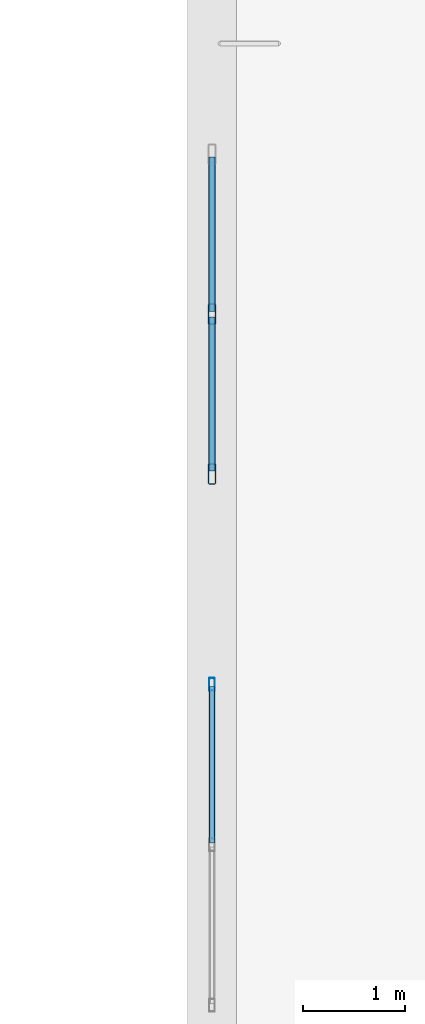
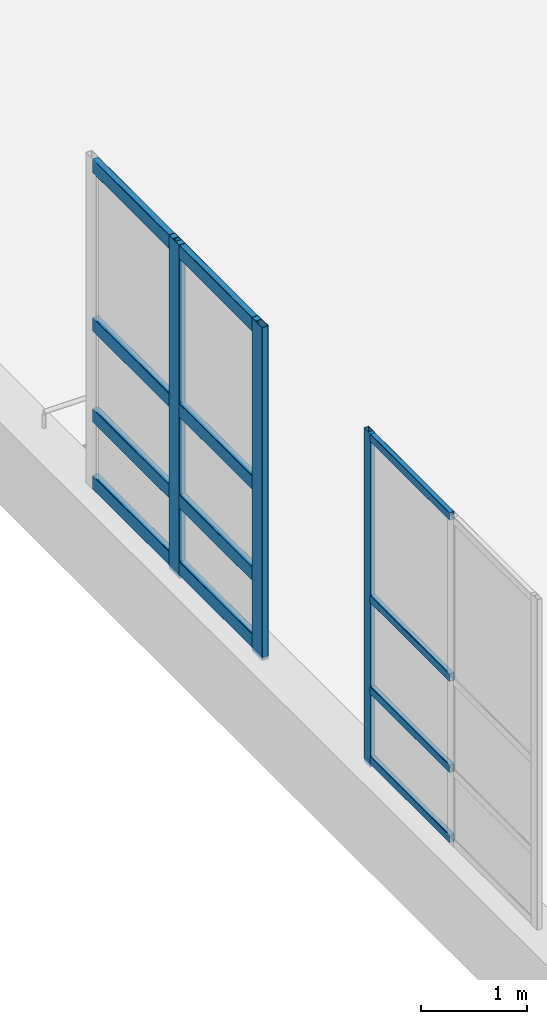
# One storey, part 14 of 197: 15 members, 2 elements without a shape of their own.
"""IFC4 building model written with IfcOpenShell, lengths in metres."""

from ifc_helpers import new_model, si_unit, derived_unit, direction, frame, origin, origin_2d, place, context, subcontext, project, spatial, hollow_rectangle, extrude, material, layer, layer_set, material_profile, profile_set, type_object, element, aggregate, save


model = new_model("IFC4")

# Units and contexts
model_context = context("Model", 3, precision=1e-05, world=origin(), true_north=direction((0.0, 1.0)))
body_context = subcontext(model_context, "Body", "Model", "MODEL_VIEW")
ifc_project = project(units=[si_unit("LENGTHUNIT", "METRE"), si_unit("AREAUNIT", "SQUARE_METRE"), si_unit("VOLUMEUNIT", "CUBIC_METRE"), si_unit("PLANEANGLEUNIT", "RADIAN"), si_unit("MASSUNIT", "GRAM", prefix="KILO"), derived_unit("THERMALTRANSMITTANCEUNIT", [(si_unit("POWERUNIT", "WATT"), 1), (si_unit("LENGTHUNIT", "METRE"), -2), (si_unit("THERMODYNAMICTEMPERATUREUNIT", "KELVIN"), -1)])], contexts=[model_context])

# Site, building, storey
site_placement = place(None, origin())
site = spatial("IfcSite", under=ifc_project, at=site_placement, CompositionType="ELEMENT")
building_placement = place(site_placement, origin())
building = spatial("IfcBuilding", under=site, at=building_placement, Name="Almenara Railside Exhibition Hall", CompositionType="ELEMENT")
storey_placement = place(building_placement, frame((0.0, 0.0, 5.39990234375)))
storey = spatial("IfcBuildingStorey", under=building, at=storey_placement, Name="L01", CompositionType="ELEMENT", Elevation=5.39990234375)

# Curtain wall, member
ifc_material_1 = material(Name="Bronze-anodised aluminium and low-E double glazing", Category="aluminium")
ifc_layer = layer(ifc_material_1, 0.179931640625, Name="Bronze-anodised aluminium and low-E double glazing")
ifc_layer_set = layer_set([ifc_layer], Name="Bronze-anodised aluminium and low-E double glazing")
curtain_wall_type = type_object("IfcCurtainWallType", Name="Scroll Gable Side Curtain Wall 3200x3800", PredefinedType="NOTDEFINED", material=ifc_layer_set)
curtain_wall_1_placement = place(storey_placement, origin())
curtain_wall_1 = element("IfcCurtainWall", 1, at=curtain_wall_1_placement, inside=storey, type_object=curtain_wall_type, Name="Curtain wall CW-G4-111", PredefinedType="NOTDEFINED")
ifc_material_2 = material(Name="Bronze-anodised aluminium", Category="aluminium")
ifc_material_profile_1 = material_profile(ifc_material_2, hollow_rectangle(XDim=0.054931640625, YDim=0.125, WallThickness=0.0029296875, InnerFilletRadius=0.0029296875, OuterFilletRadius=0.006103515625, at=origin_2d()), Name="ALU-MUL 55x125x3")
ifc_profile_set_1 = profile_set([ifc_material_profile_1], Name="Bronze-anodised aluminium")
member_type_1 = type_object("IfcMemberType", Name="Curtain Wall Mullion 55x125x3", PredefinedType="MULLION", material=ifc_profile_set_1)
member_1_placement = place(storey_placement, frame((3.0, 27.472412109375, 0.9150390625), z_axis=(0.0, 0.0, 1.0), x_axis=(-1.0, 0.0, 0.0)))
member_1 = element("IfcMember", 2, at=member_1_placement, type_object=member_type_1, Name="CW-G4-111 mullion 3", PredefinedType="MULLION", context=body_context, shape_type="SweptSolid", body=[
    extrude(hollow_rectangle(XDim=0.054931640625, YDim=0.125, WallThickness=0.0029296875, InnerFilletRadius=0.0029296875, OuterFilletRadius=0.006103515625, at=origin_2d()), origin(), (0.0, 0.0, 1.0), 3.8349609375),
])

# Curtain wall, members
curtain_wall_2_placement = place(storey_placement, origin())
curtain_wall_2 = element("IfcCurtainWall", 3, at=curtain_wall_2_placement, inside=storey, type_object=curtain_wall_type, Name="Curtain wall CW-G4-112", PredefinedType="NOTDEFINED")
ifc_material_profile_2 = material_profile(ifc_material_2, hollow_rectangle(XDim=0.070068359375, YDim=0.199951171875, WallThickness=0.00439453125, InnerFilletRadius=0.00439453125, OuterFilletRadius=0.009033203125, at=origin_2d()), Name="ALU-MUL 70x200x4.5")
ifc_profile_set_2 = profile_set([ifc_material_profile_2], Name="Bronze-anodised aluminium")
member_type_2 = type_object("IfcMemberType", Name="Curtain Wall Mullion 70x200x4.5", PredefinedType="MULLION", material=ifc_profile_set_2)
member_2_placement = place(storey_placement, frame((3.0, 29.534912109375, 0.9150390625), z_axis=(0.0, 0.0, 1.0), x_axis=(-1.0, 0.0, 0.0)))
member_2 = element("IfcMember", 4, at=member_2_placement, type_object=member_type_2, Name="CW-G4-112 mullion 1", PredefinedType="MULLION", context=body_context, shape_type="SweptSolid", body=[
    extrude(hollow_rectangle(XDim=0.070068359375, YDim=0.199951171875, WallThickness=0.00439453125, InnerFilletRadius=0.00439453125, OuterFilletRadius=0.009033203125, at=origin_2d()), origin(), (0.0, 0.0, 1.0), 3.8349609375),
])
member_3_placement = place(storey_placement, frame((3.0, 31.10009765625, 0.9150390625), z_axis=(0.0, 0.0, 1.0), x_axis=(-1.0, 0.0, 0.0)))
member_3 = element("IfcMember", 5, at=member_3_placement, type_object=member_type_2, Name="CW-G4-112 mullion 2", PredefinedType="MULLION", context=body_context, shape_type="SweptSolid", body=[
    extrude(hollow_rectangle(XDim=0.070068359375, YDim=0.199951171875, WallThickness=0.00439453125, InnerFilletRadius=0.00439453125, OuterFilletRadius=0.009033203125, at=origin_2d()), origin(), (0.0, 0.0, 1.0), 3.8349609375),
])

# Member
ifc_material_profile_3 = material_profile(ifc_material_2, hollow_rectangle(XDim=0.054931640625, YDim=0.090087890625, WallThickness=0.0029296875, InnerFilletRadius=0.0029296875, OuterFilletRadius=0.006103515625, at=origin_2d()), Name="ALU-TRN 55x90x3")
ifc_profile_set_3 = profile_set([ifc_material_profile_3], Name="Bronze-anodised aluminium")
member_type_3 = type_object("IfcMemberType", Name="Curtain Wall Transom 55x90x3", PredefinedType="USERDEFINED", material=ifc_profile_set_3)
member_4_placement = place(storey_placement, frame((3.0, 25.91943359375, 0.9951171875), z_axis=(0.0, 1.0, 0.0), x_axis=(-1.0, 0.0, 0.0)))
member_4 = element("IfcMember", 6, at=member_4_placement, type_object=member_type_3, Name="CW-G4-111 transom 2.1", ObjectType="TRANSOM", PredefinedType="USERDEFINED", context=body_context, shape_type="SweptSolid", body=[
    extrude(hollow_rectangle(XDim=0.054931640625, YDim=0.090087890625, WallThickness=0.0029296875, InnerFilletRadius=0.0029296875, OuterFilletRadius=0.006103515625, at=origin_2d()), origin(), (0.0, 0.0, 1.0), 1.533447265625),
])

member_5_placement = place(storey_placement, frame((3.0, 25.91943359375, 1.800048828125), z_axis=(0.0, 1.0, 0.0), x_axis=(-1.0, 0.0, 0.0)))
member_5 = element("IfcMember", 7, at=member_5_placement, type_object=member_type_3, Name="CW-G4-111 transom 2.2", ObjectType="TRANSOM", PredefinedType="USERDEFINED", context=body_context, shape_type="SweptSolid", body=[
    extrude(hollow_rectangle(XDim=0.054931640625, YDim=0.090087890625, WallThickness=0.0029296875, InnerFilletRadius=0.0029296875, OuterFilletRadius=0.006103515625, at=origin_2d()), origin(), (0.0, 0.0, 1.0), 1.533447265625),
])

member_6_placement = place(storey_placement, frame((3.0, 25.91943359375, 2.85009765625), z_axis=(0.0, 1.0, 0.0), x_axis=(-1.0, 0.0, 0.0)))
member_6 = element("IfcMember", 8, at=member_6_placement, type_object=member_type_3, Name="CW-G4-111 transom 2.3", ObjectType="TRANSOM", PredefinedType="USERDEFINED", context=body_context, shape_type="SweptSolid", body=[
    extrude(hollow_rectangle(XDim=0.054931640625, YDim=0.090087890625, WallThickness=0.0029296875, InnerFilletRadius=0.0029296875, OuterFilletRadius=0.006103515625, at=origin_2d()), origin(), (0.0, 0.0, 1.0), 1.533447265625),
])

member_7_placement = place(storey_placement, frame((3.0, 25.91943359375, 4.705078125), z_axis=(0.0, 1.0, 0.0), x_axis=(-1.0, 0.0, 0.0)))
member_7 = element("IfcMember", 9, at=member_7_placement, type_object=member_type_3, Name="CW-G4-111 transom 2.4", ObjectType="TRANSOM", PredefinedType="USERDEFINED", context=body_context, shape_type="SweptSolid", body=[
    extrude(hollow_rectangle(XDim=0.054931640625, YDim=0.090087890625, WallThickness=0.0029296875, InnerFilletRadius=0.0029296875, OuterFilletRadius=0.006103515625, at=origin_2d()), origin(), (0.0, 0.0, 1.0), 1.533447265625),
])

aggregate(curtain_wall_1, [member_1, member_4, member_5, member_6, member_7])

ifc_material_profile_4 = material_profile(ifc_material_2, hollow_rectangle(XDim=0.070068359375, YDim=0.159912109375, WallThickness=0.00390625, InnerFilletRadius=0.00390625, OuterFilletRadius=0.008056640625, at=origin_2d()), Name="ALU-TRN 70x160x4")
ifc_profile_set_4 = profile_set([ifc_material_profile_4], Name="Bronze-anodised aluminium")
member_type_4 = type_object("IfcMemberType", Name="Curtain Wall Transom 70x160x4", PredefinedType="USERDEFINED", material=ifc_profile_set_4)
member_8_placement = place(storey_placement, frame((3.0, 29.56201171875, 1.030029296875), z_axis=(0.0, 1.0, 0.0), x_axis=(-1.0, 0.0, 0.0)))
member_8 = element("IfcMember", 10, at=member_8_placement, type_object=member_type_4, Name="CW-G4-112 transom 1.1", ObjectType="TRANSOM", PredefinedType="USERDEFINED", context=body_context, shape_type="SweptSolid", body=[
    extrude(hollow_rectangle(XDim=0.070068359375, YDim=0.159912109375, WallThickness=0.00390625, InnerFilletRadius=0.00390625, OuterFilletRadius=0.008056640625, at=origin_2d()), origin(), (0.0, 0.0, 1.0), 1.510986328125),
])

member_9_placement = place(storey_placement, frame((3.0, 29.56201171875, 1.800048828125), z_axis=(0.0, 1.0, 0.0), x_axis=(-1.0, 0.0, 0.0)))
member_9 = element("IfcMember", 11, at=member_9_placement, type_object=member_type_4, Name="CW-G4-112 transom 1.2", ObjectType="TRANSOM", PredefinedType="USERDEFINED", context=body_context, shape_type="SweptSolid", body=[
    extrude(hollow_rectangle(XDim=0.070068359375, YDim=0.159912109375, WallThickness=0.00390625, InnerFilletRadius=0.00390625, OuterFilletRadius=0.008056640625, at=origin_2d()), origin(), (0.0, 0.0, 1.0), 1.510986328125),
])

member_10_placement = place(storey_placement, frame((3.0, 29.56201171875, 2.85009765625), z_axis=(0.0, 1.0, 0.0), x_axis=(-1.0, 0.0, 0.0)))
member_10 = element("IfcMember", 12, at=member_10_placement, type_object=member_type_4, Name="CW-G4-112 transom 1.3", ObjectType="TRANSOM", PredefinedType="USERDEFINED", context=body_context, shape_type="SweptSolid", body=[
    extrude(hollow_rectangle(XDim=0.070068359375, YDim=0.159912109375, WallThickness=0.00390625, InnerFilletRadius=0.00390625, OuterFilletRadius=0.008056640625, at=origin_2d()), origin(), (0.0, 0.0, 1.0), 1.510986328125),
])

member_11_placement = place(storey_placement, frame((3.0, 29.56201171875, 4.670166015625), z_axis=(0.0, 1.0, 0.0), x_axis=(-1.0, 0.0, 0.0)))
member_11 = element("IfcMember", 13, at=member_11_placement, type_object=member_type_4, Name="CW-G4-112 transom 1.4", ObjectType="TRANSOM", PredefinedType="USERDEFINED", context=body_context, shape_type="SweptSolid", body=[
    extrude(hollow_rectangle(XDim=0.070068359375, YDim=0.159912109375, WallThickness=0.00390625, InnerFilletRadius=0.00390625, OuterFilletRadius=0.008056640625, at=origin_2d()), origin(), (0.0, 0.0, 1.0), 1.510986328125),
])

member_12_placement = place(storey_placement, frame((3.0, 31.126953125, 1.030029296875), z_axis=(0.0, 1.0, 0.0), x_axis=(-1.0, 0.0, 0.0)))
member_12 = element("IfcMember", 14, at=member_12_placement, type_object=member_type_4, Name="CW-G4-112 transom 2.1", ObjectType="TRANSOM", PredefinedType="USERDEFINED", context=body_context, shape_type="SweptSolid", body=[
    extrude(hollow_rectangle(XDim=0.070068359375, YDim=0.159912109375, WallThickness=0.00390625, InnerFilletRadius=0.00390625, OuterFilletRadius=0.008056640625, at=origin_2d()), origin(), (0.0, 0.0, 1.0), 1.510986328125),
])

member_13_placement = place(storey_placement, frame((3.0, 31.126953125, 1.800048828125), z_axis=(0.0, 1.0, 0.0), x_axis=(-1.0, 0.0, 0.0)))
member_13 = element("IfcMember", 15, at=member_13_placement, type_object=member_type_4, Name="CW-G4-112 transom 2.2", ObjectType="TRANSOM", PredefinedType="USERDEFINED", context=body_context, shape_type="SweptSolid", body=[
    extrude(hollow_rectangle(XDim=0.070068359375, YDim=0.159912109375, WallThickness=0.00390625, InnerFilletRadius=0.00390625, OuterFilletRadius=0.008056640625, at=origin_2d()), origin(), (0.0, 0.0, 1.0), 1.510986328125),
])

member_14_placement = place(storey_placement, frame((3.0, 31.126953125, 2.85009765625), z_axis=(0.0, 1.0, 0.0), x_axis=(-1.0, 0.0, 0.0)))
member_14 = element("IfcMember", 16, at=member_14_placement, type_object=member_type_4, Name="CW-G4-112 transom 2.3", ObjectType="TRANSOM", PredefinedType="USERDEFINED", context=body_context, shape_type="SweptSolid", body=[
    extrude(hollow_rectangle(XDim=0.070068359375, YDim=0.159912109375, WallThickness=0.00390625, InnerFilletRadius=0.00390625, OuterFilletRadius=0.008056640625, at=origin_2d()), origin(), (0.0, 0.0, 1.0), 1.510986328125),
])

member_15_placement = place(storey_placement, frame((3.0, 31.126953125, 4.670166015625), z_axis=(0.0, 1.0, 0.0), x_axis=(-1.0, 0.0, 0.0)))
member_15 = element("IfcMember", 17, at=member_15_placement, type_object=member_type_4, Name="CW-G4-112 transom 2.4", ObjectType="TRANSOM", PredefinedType="USERDEFINED", context=body_context, shape_type="SweptSolid", body=[
    extrude(hollow_rectangle(XDim=0.070068359375, YDim=0.159912109375, WallThickness=0.00390625, InnerFilletRadius=0.00390625, OuterFilletRadius=0.008056640625, at=origin_2d()), origin(), (0.0, 0.0, 1.0), 1.510986328125),
])

aggregate(curtain_wall_2, [member_2, member_3, member_8, member_9, member_10, member_11, member_12, member_13, member_14, member_15])

save(model, "model.ifc")
